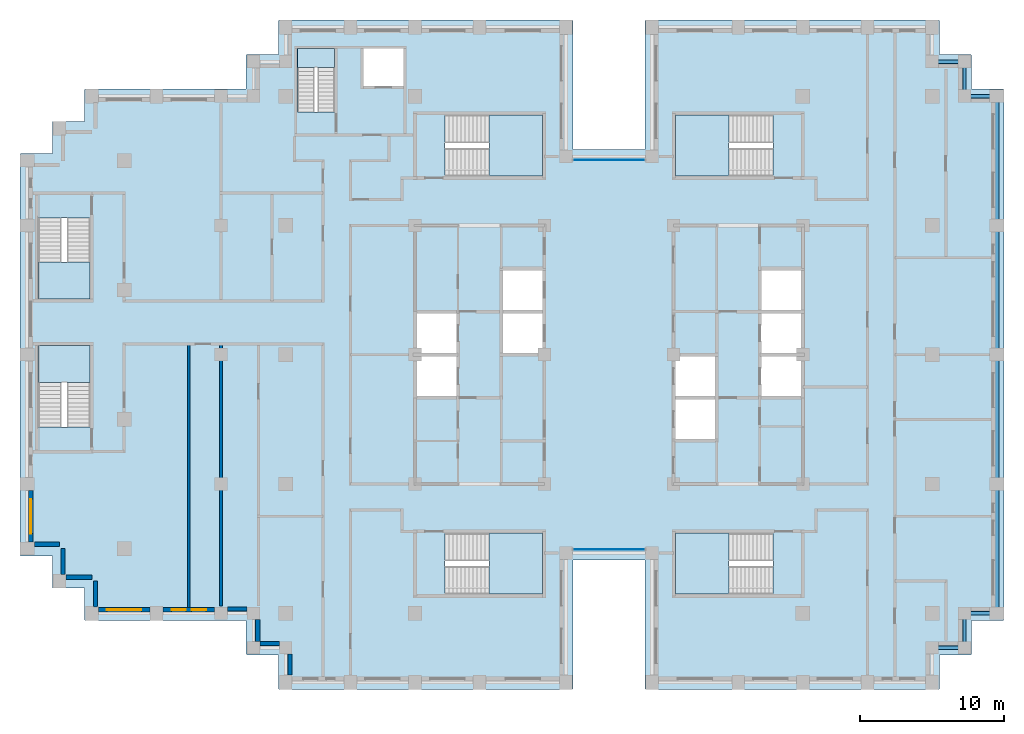
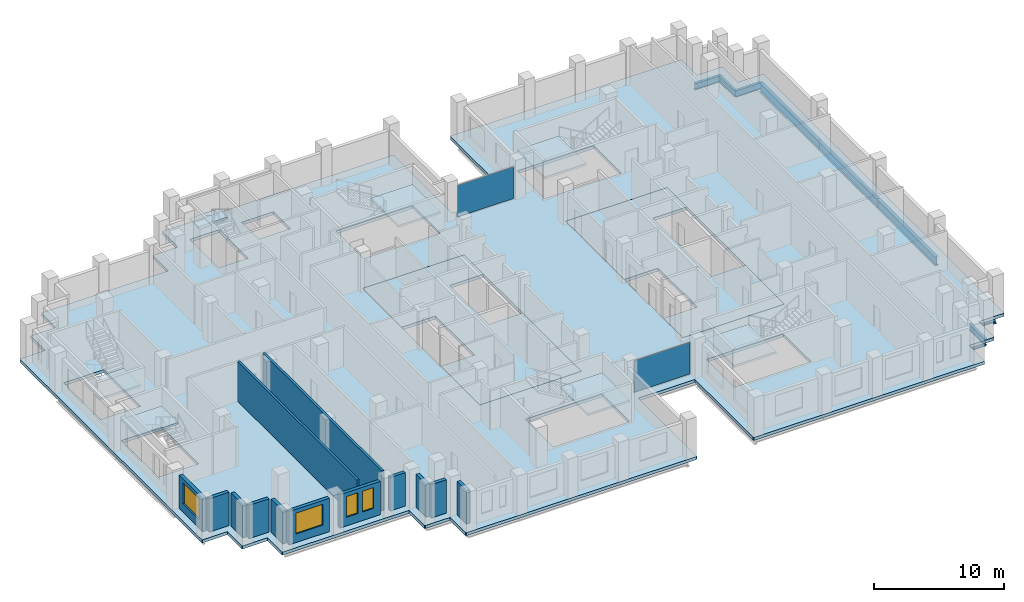
# One storey, part 5 of 15: 13 walls, 10 beams, 10 slabs, 4 windows, 2 plates, 4 openings, 9 elements without a shape of their own.
"""IFC4 building model written with IfcOpenShell, lengths in metres."""

from ifc_helpers import new_model, si_unit, direction, frame, frame_2d, origin, origin_2d, place, context, subcontext, project, spatial, polyline, rectangle, i_section, outline, extrude, material, layer, layer_set, material_profile, profile_set, type_object, element, fill, aggregate, save


model = new_model("IFC4")

# Units and contexts
model_context = context("Model", 3, precision=1e-05, world=origin(), true_north=direction((0.0, 1.0)))
body_context = subcontext(model_context, "Body", "Model", "MODEL_VIEW")
ifc_project = project(units=[si_unit("LENGTHUNIT", "METRE"), si_unit("AREAUNIT", "SQUARE_METRE"), si_unit("VOLUMEUNIT", "CUBIC_METRE"), si_unit("PLANEANGLEUNIT", "RADIAN"), si_unit("MASSUNIT", "GRAM", prefix="KILO")], contexts=[model_context])

# Site, building, storey
site_placement = place(None, origin())
site = spatial("IfcSite", under=ifc_project, at=site_placement, CompositionType="ELEMENT")
building_placement = place(site_placement, origin())
building = spatial("IfcBuilding", under=site, at=building_placement, Name="Corbelhall Arena Tower", CompositionType="ELEMENT")
storey_placement = place(building_placement, frame((0.0, 0.0, 200.0)))
storey = spatial("IfcBuildingStorey", under=building, at=storey_placement, Name="L41", CompositionType="ELEMENT", Elevation=200.0)

# Beams
ifc_material_1 = material(Name="Steel ASTM A992 Gr50", Category="steel")
ifc_material_profile_1 = material_profile(ifc_material_1, i_section(OverallWidth=0.228271484375, OverallDepth=0.607177734375, WebThickness=0.01123046875, FlangeThickness=0.017333984375, at=origin_2d()))
ifc_profile_set_1 = profile_set([ifc_material_profile_1], Name="Steel ASTM A992 Gr50")
beam_type_1 = type_object("IfcBeamType", Name="ST-SPANDREL-W24x76", PredefinedType="SPANDREL", material=ifc_profile_set_1)
for number, where, z_axis, x_axis, name in (
    (1, (27.0, -18.0, -0.58349609375), (-1.0, 0.0, 0.0), (0.0, -1.0, 0.0), "Beam SP 12"),
    (2, (22.5, 20.39990234375, -0.58349609375), (1.0, 0.0, 0.0), (0.0, 1.0, 0.0), "Beam SP 39"),
):
    element("IfcBeam", number, at=place(storey_placement, frame(where, z_axis=z_axis, x_axis=x_axis)), inside=storey, type_object=beam_type_1, Name=name, PredefinedType="SPANDREL", context=body_context, shape_type="SweptSolid", body=[
        extrude(i_section(OverallWidth=0.228271484375, OverallDepth=0.607177734375, WebThickness=0.01123046875, FlangeThickness=0.017333984375, at=origin_2d()), origin(), (0.0, 0.0, 1.0), 2.25),
    ])
beam_1_placement = place(storey_placement, frame((24.75, 20.39990234375, -0.58349609375), z_axis=(0.0, -1.0, 0.0), x_axis=(1.0, 0.0, 0.0)))
element("IfcBeam", 3, at=beam_1_placement, inside=storey, type_object=beam_type_1, Name="Beam SP 40", PredefinedType="SPANDREL", context=body_context, shape_type="SweptSolid", body=[
    extrude(i_section(OverallWidth=0.228271484375, OverallDepth=0.607177734375, WebThickness=0.01123046875, FlangeThickness=0.017333984375, at=origin_2d()), origin(), (0.0, 0.0, 1.0), 2.39990234375),
])
for number, where, z_axis, x_axis, name in (
    (4, (24.75, 18.0, -0.58349609375), (1.0, 0.0, 0.0), (0.0, 1.0, 0.0), "Beam SP 41"),
    (5, (24.75, -20.39990234375, -0.58349609375), (-1.0, 0.0, 0.0), (0.0, -1.0, 0.0), "Beam SP 46"),
):
    element("IfcBeam", number, at=place(storey_placement, frame(where, z_axis=z_axis, x_axis=x_axis)), inside=storey, type_object=beam_type_1, Name=name, PredefinedType="SPANDREL", context=body_context, shape_type="SweptSolid", body=[
        extrude(i_section(OverallWidth=0.228271484375, OverallDepth=0.607177734375, WebThickness=0.01123046875, FlangeThickness=0.017333984375, at=origin_2d()), origin(), (0.0, 0.0, 1.0), 2.25),
    ])
beam_2_placement = place(storey_placement, frame((24.75, -18.0, -0.58349609375), z_axis=(0.0, -1.0, 0.0), x_axis=(1.0, 0.0, 0.0)))
element("IfcBeam", 6, at=beam_2_placement, inside=storey, type_object=beam_type_1, Name="Beam SP 47", PredefinedType="SPANDREL", context=body_context, shape_type="SweptSolid", body=[
    extrude(i_section(OverallWidth=0.228271484375, OverallDepth=0.607177734375, WebThickness=0.01123046875, FlangeThickness=0.017333984375, at=origin_2d()), origin(), (0.0, 0.0, 1.0), 2.39990234375),
])
ifc_material_profile_2 = material_profile(ifc_material_1, i_section(OverallWidth=0.2919921875, OverallDepth=0.845703125, WebThickness=0.015380859375, FlangeThickness=0.0244140625, at=origin_2d()))
ifc_profile_set_2 = profile_set([ifc_material_profile_2], Name="Steel ASTM A992 Gr50")
beam_type_2 = type_object("IfcBeamType", Name="ST-SPANDREL-W33x141", PredefinedType="SPANDREL", material=ifc_profile_set_2)
for number, where, z_axis, x_axis, name in (
    (7, (27.0, 0.0, -0.702880859375), (0.0, -1.0, 0.0), (1.0, 0.0, 0.0), "Beam SP 8"),
    (8, (27.0, 9.0, -0.702880859375), (0.0, -1.0, 0.0), (1.0, 0.0, 0.0), "Beam SP 9"),
    (9, (27.0, 18.0, -0.702880859375), (0.0, -1.0, 0.0), (1.0, 0.0, 0.0), "Beam SP 10"),
    (10, (27.0, -9.0, -0.702880859375), (0.0, -1.0, 0.0), (1.0, 0.0, 0.0), "Beam SP 11"),
):
    element("IfcBeam", number, at=place(storey_placement, frame(where, z_axis=z_axis, x_axis=x_axis)), inside=storey, type_object=beam_type_2, Name=name, PredefinedType="SPANDREL", context=body_context, shape_type="SweptSolid", body=[
        extrude(i_section(OverallWidth=0.2919921875, OverallDepth=0.845703125, WebThickness=0.015380859375, FlangeThickness=0.0244140625, at=origin_2d()), origin(), (0.0, 0.0, 1.0), 9.0),
    ])

# Curtain wall, plate
ifc_material_2 = material(Name="Aluminium black anodised", Category="aluminium")
ifc_layer_1 = layer(ifc_material_2, 0.199951171875)
ifc_layer_set_1 = layer_set([ifc_layer_1], Name="EV-CW1 Slot back wall")
curtain_wall_type = type_object("IfcCurtainWallType", Name="EV-CW1 Slot back wall", PredefinedType="NOTDEFINED", material=ifc_layer_set_1)
curtain_wall_1_placement = place(storey_placement, origin())
curtain_wall_1 = element("IfcCurtainWall", 11, at=curtain_wall_1_placement, inside=storey, type_object=curtain_wall_type, Name="Curtain wall CW1", PredefinedType="NOTDEFINED")
ifc_material_3 = material(Name="Glass dark tinted laminated", Category="glass")
ifc_layer_2 = layer(ifc_material_3, 0.028076171875)
ifc_layer_set_2 = layer_set([ifc_layer_2], Name="EV-CW1-PANEL")
plate_type = type_object("IfcPlateType", Name="EV-CW1-PANEL", PredefinedType="CURTAIN_PANEL", material=ifc_layer_set_2)
plate_1_placement = place(storey_placement, frame((0.0, -13.550048828125, 0.0751953125), z_axis=(0.0, 0.0, 1.0), x_axis=(1.0, 0.0, 0.0)))
plate_1 = element("IfcPlate", 12, at=plate_1_placement, type_object=plate_type, Name="CW1 panel 1.1", PredefinedType="CURTAIN_PANEL", context=body_context, shape_type="SweptSolid", body=[
    extrude(rectangle(XDim=4.949951171875, YDim=0.028076171875, at=origin_2d()), origin(), (0.0, 0.0, 1.0), 2.969970703125),
])
aggregate(curtain_wall_1, [plate_1])

curtain_wall_2_placement = place(storey_placement, origin())
curtain_wall_2 = element("IfcCurtainWall", 13, at=curtain_wall_2_placement, inside=storey, type_object=curtain_wall_type, Name="Curtain wall CW1", PredefinedType="NOTDEFINED")
plate_2_placement = place(storey_placement, frame((0.0, 13.550048828125, 0.0751953125), z_axis=(0.0, 0.0, 1.0), x_axis=(-1.0, 0.0, 0.0)))
plate_2 = element("IfcPlate", 14, at=plate_2_placement, type_object=plate_type, Name="CW1 panel 1.1", PredefinedType="CURTAIN_PANEL", context=body_context, shape_type="SweptSolid", body=[
    extrude(rectangle(XDim=4.949951171875, YDim=0.028076171875, at=origin_2d()), origin(), (0.0, 0.0, 1.0), 2.969970703125),
])
aggregate(curtain_wall_2, [plate_2])

# Slabs
ifc_material_4 = material(Name="Concrete C40/50", Category="concrete")
ifc_layer_3 = layer(ifc_material_4, 0.300048828125)
ifc_layer_set_3 = layer_set([ifc_layer_3], Name="IN-SL-CORE")
slab_type_1 = type_object("IfcSlabType", Name="IN-SL-CORE", PredefinedType="FLOOR", material=ifc_layer_set_3)
slab_1_placement = place(storey_placement, frame((0.0, 0.0, -0.280029296875)))
element("IfcSlab", 15, at=slab_1_placement, inside=storey, type_object=slab_type_1, Name="Core floor W", PredefinedType="FLOOR", context=body_context, shape_type="SweptSolid", body=[
    extrude(outline(polyline([(-10.5, -3.0), (-13.5, -3.0), (-13.5, -9.0), (-4.5, -9.0), (-4.5, 0.0), (-7.5, 0.0), (-7.5, 3.0), (-7.5, 6.0), (-4.5, 6.0), (-4.5, 9.0), (-13.5, 9.0), (-13.5, 3.0), (-10.5, 3.0), (-10.5, 0.0), (-10.5, -3.0)])), origin(), (0.0, 0.0, 1.0), 0.280029296875),
])
slab_2_placement = place(storey_placement, frame((0.0, 0.0, -0.280029296875)))
element("IfcSlab", 16, at=slab_2_placement, inside=storey, type_object=slab_type_1, Name="Core floor E", PredefinedType="FLOOR", context=body_context, shape_type="SweptSolid", body=[
    extrude(outline(polyline([(13.5, -3.0), (10.5, -3.0), (10.5, 0.0), (10.5, 3.0), (10.5, 6.0), (13.5, 6.0), (13.5, 9.0), (4.5, 9.0), (4.5, 0.0), (7.5, 0.0), (7.5, -3.0), (7.5, -6.0), (4.5, -6.0), (4.5, -9.0), (13.5, -9.0), (13.5, -3.0)])), origin(), (0.0, 0.0, 1.0), 0.280029296875),
])

# Stair, slab
stair_type = type_object("IfcStairType", Name="IN-ST-TOWER", PredefinedType="HALF_TURN_STAIR", material=ifc_material_4)
stair_1_placement = place(storey_placement, origin())
stair_1 = element("IfcStair", 17, at=stair_1_placement, inside=storey, type_object=stair_type, Name="L41 Exit stair ST1", PredefinedType="HALF_TURN_STAIR")
ifc_layer_4 = layer(ifc_material_4, 0.199951171875)
ifc_layer_set_4 = layer_set([ifc_layer_4], Name="IN-SL-LANDING")
slab_type_2 = type_object("IfcSlabType", Name="IN-SL-LANDING", PredefinedType="LANDING", material=ifc_layer_set_4)
slab_3_placement = place(storey_placement, frame((0.0, 0.0, 1.800048828125)))
slab_3 = element("IfcSlab", 18, at=slab_3_placement, type_object=slab_type_2, Name="ST1 landing 1", PredefinedType="LANDING", context=body_context, shape_type="SweptSolid", body=[
    extrude(outline(polyline([(-8.344970703125, 12.425048828125), (-4.625, 12.425048828125), (-4.625, 16.675048828125), (-8.344970703125, 16.675048828125), (-8.344970703125, 12.425048828125)])), origin(), (0.0, 0.0, 1.0), 0.199951171875),
])
aggregate(stair_1, [slab_3])

stair_2_placement = place(storey_placement, origin())
stair_2 = element("IfcStair", 19, at=stair_2_placement, inside=storey, type_object=stair_type, Name="L41 Exit stair ST2", PredefinedType="HALF_TURN_STAIR")
slab_4_placement = place(storey_placement, frame((0.0, 0.0, 1.800048828125)))
slab_4 = element("IfcSlab", 20, at=slab_4_placement, type_object=slab_type_2, Name="ST2 landing 1", PredefinedType="LANDING", context=body_context, shape_type="SweptSolid", body=[
    extrude(outline(polyline([(-8.344970703125, -16.675048828125), (-4.625, -16.675048828125), (-4.625, -12.425048828125), (-8.344970703125, -12.425048828125), (-8.344970703125, -16.675048828125)])), origin(), (0.0, 0.0, 1.0), 0.199951171875),
])
aggregate(stair_2, [slab_4])

stair_3_placement = place(storey_placement, origin())
stair_3 = element("IfcStair", 21, at=stair_3_placement, inside=storey, type_object=stair_type, Name="L41 Exit stair ST3", PredefinedType="HALF_TURN_STAIR")
slab_5_placement = place(storey_placement, frame((0.0, 0.0, 1.800048828125)))
slab_5 = element("IfcSlab", 22, at=slab_5_placement, type_object=slab_type_2, Name="ST3 landing 1", PredefinedType="LANDING", context=body_context, shape_type="SweptSolid", body=[
    extrude(outline(polyline([(8.344970703125, 16.675048828125), (4.625, 16.675048828125), (4.625, 12.425048828125), (8.344970703125, 12.425048828125), (8.344970703125, 16.675048828125)])), origin(), (0.0, 0.0, 1.0), 0.199951171875),
])
aggregate(stair_3, [slab_5])

stair_4_placement = place(storey_placement, origin())
stair_4 = element("IfcStair", 23, at=stair_4_placement, inside=storey, type_object=stair_type, Name="L41 Exit stair ST4", PredefinedType="HALF_TURN_STAIR")
slab_6_placement = place(storey_placement, frame((0.0, 0.0, 1.800048828125)))
slab_6 = element("IfcSlab", 24, at=slab_6_placement, type_object=slab_type_2, Name="ST4 landing 1", PredefinedType="LANDING", context=body_context, shape_type="SweptSolid", body=[
    extrude(outline(polyline([(8.344970703125, -12.425048828125), (4.625, -12.425048828125), (4.625, -16.675048828125), (8.344970703125, -16.675048828125), (8.344970703125, -12.425048828125)])), origin(), (0.0, 0.0, 1.0), 0.199951171875),
])
aggregate(stair_4, [slab_6])

stair_5_placement = place(storey_placement, origin())
stair_5 = element("IfcStair", 25, at=stair_5_placement, inside=storey, type_object=stair_type, Name="L41 Exit stair SC1", PredefinedType="HALF_TURN_STAIR")
slab_7_placement = place(storey_placement, frame((0.0, 0.0, 1.800048828125)))
slab_7 = element("IfcSlab", 26, at=slab_7_placement, type_object=slab_type_2, Name="SC1 landing 1", PredefinedType="LANDING", context=body_context, shape_type="SweptSolid", body=[
    extrude(outline(polyline([(-39.699951171875, 6.445068359375), (-39.699951171875, 3.875), (-36.125, 3.875), (-36.125, 6.445068359375), (-39.699951171875, 6.445068359375)])), origin(), (0.0, 0.0, 1.0), 0.199951171875),
])
aggregate(stair_5, [slab_7])

stair_6_placement = place(storey_placement, origin())
stair_6 = element("IfcStair", 27, at=stair_6_placement, inside=storey, type_object=stair_type, Name="L41 Exit stair SC2", PredefinedType="HALF_TURN_STAIR")
slab_8_placement = place(storey_placement, frame((0.0, 0.0, 1.800048828125)))
slab_8 = element("IfcSlab", 28, at=slab_8_placement, type_object=slab_type_2, Name="SC2 landing 1", PredefinedType="LANDING", context=body_context, shape_type="SweptSolid", body=[
    extrude(outline(polyline([(-36.125, -1.945068359375), (-36.125, 0.625), (-39.699951171875, 0.625), (-39.699951171875, -1.945068359375), (-36.125, -1.945068359375)])), origin(), (0.0, 0.0, 1.0), 0.199951171875),
])
aggregate(stair_6, [slab_8])

stair_7_placement = place(storey_placement, origin())
stair_7 = element("IfcStair", 29, at=stair_7_placement, inside=storey, type_object=stair_type, Name="L41 Exit stair ST5", PredefinedType="HALF_TURN_STAIR")
slab_9_placement = place(storey_placement, frame((0.0, 0.0, 1.800048828125)))
slab_9 = element("IfcSlab", 30, at=slab_9_placement, type_object=slab_type_2, Name="ST5 landing 1", PredefinedType="LANDING", context=body_context, shape_type="SweptSolid", body=[
    extrude(outline(polyline([(-19.094970703125, 19.97998046875), (-19.094970703125, 21.300048828125), (-21.695068359375, 21.300048828125), (-21.695068359375, 19.97998046875), (-19.094970703125, 19.97998046875)])), origin(), (0.0, 0.0, 1.0), 0.199951171875),
])
aggregate(stair_7, [slab_9])

# Slab
ifc_layer_5 = layer(ifc_material_4, 0.280029296875)
ifc_layer_set_5 = layer_set([ifc_layer_5], Name="ST-SLAB-FLOOR-280")
slab_type_3 = type_object("IfcSlabType", Name="ST-SLAB-FLOOR-280", PredefinedType="FLOOR", material=ifc_layer_set_5)
slab_10_placement = place(storey_placement, frame((0.0, 0.0, -0.280029296875)))
element("IfcSlab", 31, at=slab_10_placement, inside=storey, type_object=slab_type_3, Name="Floor slab L41 1", PredefinedType="FLOOR", context=body_context, shape_type="SweptSolid", body=[
    extrude(outline(polyline([(23.0, 23.25), (22.949951171875, 23.300048828125), (2.550048828125, 23.300048828125), (2.5, 23.25), (2.5, 14.300048828125), (-2.5, 14.300048828125), (-2.5, 23.25), (-2.550048828125, 23.300048828125), (-22.949951171875, 23.300048828125), (-23.0, 23.25), (-23.0, 20.89990234375), (-25.199951171875, 20.89990234375), (-25.25, 20.85009765625), (-25.25, 18.5), (-36.449951171875, 18.5), (-36.5, 18.449951171875), (-36.5, 16.25), (-38.699951171875, 16.25), (-38.75, 16.199951171875), (-38.75, 14.0), (-40.949951171875, 14.0), (-41.0, 13.949951171875), (-41.0, -13.949951171875), (-40.949951171875, -14.0), (-38.75, -14.0), (-38.75, -16.199951171875), (-38.699951171875, -16.25), (-36.5, -16.25), (-36.5, -18.449951171875), (-36.449951171875, -18.5), (-25.25, -18.5), (-25.25, -20.85009765625), (-25.199951171875, -20.89990234375), (-23.0, -20.89990234375), (-23.0, -23.25), (-22.949951171875, -23.300048828125), (-2.550048828125, -23.300048828125), (-2.5, -23.25), (-2.5, -14.300048828125), (2.5, -14.300048828125), (2.5, -23.25), (2.550048828125, -23.300048828125), (22.949951171875, -23.300048828125), (23.0, -23.25), (23.0, -20.89990234375), (25.199951171875, -20.89990234375), (25.25, -20.85009765625), (25.25, -18.5), (27.449951171875, -18.5), (27.5, -18.449951171875), (27.5, 18.449951171875), (27.449951171875, 18.5), (25.25, 18.5), (25.25, 20.85009765625), (25.199951171875, 20.89990234375), (23.0, 20.89990234375), (23.0, 23.25)]), holes=[polyline([(-4.5, -9.0), (-4.5, 9.0), (-13.5, 9.0), (-13.5, -9.0), (-4.5, -9.0)]), polyline([(13.5, -9.0), (13.5, 9.0), (4.5, 9.0), (4.5, -9.0), (13.5, -9.0)]), polyline([(-11.422119140625, 12.425048828125), (-4.625, 12.425048828125), (-4.625, 16.675048828125), (-11.422119140625, 16.675048828125), (-11.422119140625, 12.425048828125)]), polyline([(-11.422119140625, -12.425048828125), (-11.422119140625, -16.675048828125), (-4.625, -16.675048828125), (-4.625, -12.425048828125), (-11.422119140625, -12.425048828125)]), polyline([(4.625, 12.425048828125), (11.422119140625, 12.425048828125), (11.422119140625, 16.675048828125), (4.625, 16.675048828125), (4.625, 12.425048828125)]), polyline([(4.625, -12.425048828125), (4.625, -16.675048828125), (11.422119140625, -16.675048828125), (11.422119140625, -12.425048828125), (4.625, -12.425048828125)]), polyline([(-39.699951171875, 9.52197265625), (-39.699951171875, 3.875), (-36.125, 3.875), (-36.125, 9.52197265625), (-39.699951171875, 9.52197265625)]), polyline([(-39.699951171875, -5.02197265625), (-36.125, -5.02197265625), (-36.125, 0.625), (-39.699951171875, 0.625), (-39.699951171875, -5.02197265625)]), polyline([(-21.695068359375, 21.300048828125), (-21.695068359375, 16.903076171875), (-19.094970703125, 16.903076171875), (-19.094970703125, 21.300048828125), (-21.695068359375, 21.300048828125)]), polyline([(-14.300048828125, 21.300048828125), (-17.10009765625, 21.300048828125), (-17.10009765625, 18.699951171875), (-14.300048828125, 18.699951171875), (-14.300048828125, 21.300048828125)])]), origin(), (0.0, 0.0, 1.0), 0.280029296875),
])

# Walls
ifc_material_5 = material(Name="Precast concrete C40/50 with granite facing", Category="masonry")
ifc_layer_6 = layer(ifc_material_5, 0.300048828125)
ifc_layer_set_6 = layer_set([ifc_layer_6], Name="EV-IW1 Infill panel 300")
wall_type_1 = type_object("IfcWallType", Name="EV-IW1 Infill panel 300", PredefinedType="SOLIDWALL", material=ifc_layer_set_6)
wall_1_placement = place(storey_placement, frame((-40.0, -13.199951171875, 0.0), z_axis=(0.0, 0.0, 1.0), x_axis=(1.0, 0.0, 0.0)))
element("IfcWall", 32, at=wall_1_placement, inside=storey, type_object=wall_type_1, Name="Infill panel IW1", PredefinedType="SOLIDWALL", context=body_context, shape_type="SweptSolid", body=[
    extrude(rectangle(XDim=1.75, YDim=0.300048828125, at=frame_2d((0.875, 0.0))), origin(), (0.0, 0.0, 1.0), 3.1201171875),
])
for number, where, z_axis, x_axis, name in (
    (33, (-38.0, -15.300048828125, 0.0), (0.0, 0.0, 1.0), (0.0, 1.0, 0.0), "Infill panel IW1"),
    (34, (-37.800048828125, -15.5, 0.0), (0.0, 0.0, 1.0), (1.0, 0.0, 0.0), "Infill panel IW1"),
    (35, (-35.75, -17.550048828125, 0.0), (0.0, 0.0, 1.0), (0.0, 1.0, 0.0), "Infill panel IW1"),
):
    element("IfcWall", number, at=place(storey_placement, frame(where, z_axis=z_axis, x_axis=x_axis)), inside=storey, type_object=wall_type_1, Name=name, PredefinedType="SOLIDWALL", context=body_context, shape_type="SweptSolid", body=[
        extrude(rectangle(XDim=1.800048828125, YDim=0.300048828125, at=frame_2d((0.89990234375, 0.0))), origin(), (0.0, 0.0, 1.0), 3.1201171875),
    ])

# Wall, opening, window
wall_2_placement = place(storey_placement, frame((-40.25, -9.449951171875, 0.0), z_axis=(0.0, 0.0, 1.0), x_axis=(0.0, -1.0, 0.0)))
wall_2 = element("IfcWall", 36, at=wall_2_placement, inside=storey, type_object=wall_type_1, Name="Infill panel IW1", PredefinedType="SOLIDWALL", context=body_context, shape_type="SweptSolid", body=[
    extrude(rectangle(XDim=3.60009765625, YDim=0.300048828125, at=frame_2d((1.800048828125, 0.0))), origin(), (0.0, 0.0, 1.0), 3.1201171875),
])
opening_1_placement = place(wall_2_placement, frame((0.60009765625, 0.0, 0.800048828125)))
opening_1 = element("IfcOpeningElement", 37, at=opening_1_placement, cuts=wall_2, Name="Opening WN1", PredefinedType="OPENING", context=body_context, shape_type="SweptSolid", body=[
    extrude(rectangle(XDim=2.39990234375, YDim=1.949951171875, at=frame_2d((1.199951171875, 0.97509765625))), frame((0.0, 0.14990234375, 0.0), z_axis=(0.0, -1.0, 0.0), x_axis=(1.0, 0.0, 0.0)), (0.0, 0.0, 1.0), 0.300048828125),
])
window_type_1 = type_object("IfcWindowType", Name="EV-WN1 Office window", PartitioningType="SINGLE_PANEL", PredefinedType="WINDOW", material=ifc_material_2)
window_1_placement = place(opening_1_placement, origin())
window_1 = element("IfcWindow", 38, at=window_1_placement, inside=storey, type_object=window_type_1, Name="Window WN1", OverallHeight=1.949951171875, OverallWidth=2.39990234375, PartitioningType="SINGLE_PANEL", PredefinedType="WINDOW", context=body_context, shape_type="SweptSolid", body=[
    extrude(rectangle(XDim=2.39990234375, YDim=1.949951171875, at=frame_2d((1.199951171875, 0.97509765625))), frame((0.0, 0.030029296875, 0.0), z_axis=(0.0, -1.0, 0.0), x_axis=(1.0, 0.0, 0.0)), (0.0, 0.0, 1.0), 0.06005859375),
])
fill(opening_1, window_1)

wall_3_placement = place(storey_placement, frame((-35.550048828125, -17.75, 0.0), z_axis=(0.0, 0.0, 1.0), x_axis=(1.0, 0.0, 0.0)))
wall_3 = element("IfcWall", 39, at=wall_3_placement, inside=storey, type_object=wall_type_1, Name="Infill panel IW1", PredefinedType="SOLIDWALL", context=body_context, shape_type="SweptSolid", body=[
    extrude(rectangle(XDim=3.60009765625, YDim=0.300048828125, at=frame_2d((1.800048828125, 0.0))), origin(), (0.0, 0.0, 1.0), 3.1201171875),
])
opening_2_placement = place(wall_3_placement, frame((0.60009765625, 0.0, 0.800048828125)))
opening_2 = element("IfcOpeningElement", 40, at=opening_2_placement, cuts=wall_3, Name="Opening WN1", PredefinedType="OPENING", context=body_context, shape_type="SweptSolid", body=[
    extrude(rectangle(XDim=2.39990234375, YDim=1.949951171875, at=frame_2d((1.199951171875, 0.97509765625))), frame((0.0, 0.14990234375, 0.0), z_axis=(0.0, -1.0, 0.0), x_axis=(1.0, 0.0, 0.0)), (0.0, 0.0, 1.0), 0.300048828125),
])
window_2_placement = place(opening_2_placement, origin())
window_2 = element("IfcWindow", 41, at=window_2_placement, inside=storey, type_object=window_type_1, Name="Window WN1", OverallHeight=1.949951171875, OverallWidth=2.39990234375, PartitioningType="SINGLE_PANEL", PredefinedType="WINDOW", context=body_context, shape_type="SweptSolid", body=[
    extrude(rectangle(XDim=2.39990234375, YDim=1.949951171875, at=frame_2d((1.199951171875, 0.97509765625))), frame((0.0, 0.030029296875, 0.0), z_axis=(0.0, -1.0, 0.0), x_axis=(1.0, 0.0, 0.0)), (0.0, 0.0, 1.0), 0.06005859375),
])
fill(opening_2, window_2)

# Wall, openings, windows
wall_4_placement = place(storey_placement, frame((-31.050048828125, -17.75, 0.0), z_axis=(0.0, 0.0, 1.0), x_axis=(1.0, 0.0, 0.0)))
wall_4 = element("IfcWall", 42, at=wall_4_placement, inside=storey, type_object=wall_type_1, Name="Infill panel IW1", PredefinedType="SOLIDWALL", context=body_context, shape_type="SweptSolid", body=[
    extrude(rectangle(XDim=3.60009765625, YDim=0.300048828125, at=frame_2d((1.800048828125, 0.0))), origin(), (0.0, 0.0, 1.0), 3.1201171875),
])
opening_3_placement = place(wall_4_placement, frame((0.60009765625, 0.0, 0.800048828125)))
opening_3 = element("IfcOpeningElement", 43, at=opening_3_placement, cuts=wall_4, Name="Opening WN6", PredefinedType="OPENING", context=body_context, shape_type="SweptSolid", body=[
    extrude(rectangle(XDim=1.0, YDim=1.949951171875, at=frame_2d((0.5, 0.97509765625))), frame((0.0, 0.14990234375, 0.0), z_axis=(0.0, -1.0, 0.0), x_axis=(1.0, 0.0, 0.0)), (0.0, 0.0, 1.0), 0.300048828125),
])
opening_4_placement = place(wall_4_placement, frame((2.0, 0.0, 0.800048828125)))
opening_4 = element("IfcOpeningElement", 44, at=opening_4_placement, cuts=wall_4, Name="Opening WN6", PredefinedType="OPENING", context=body_context, shape_type="SweptSolid", body=[
    extrude(rectangle(XDim=1.0, YDim=1.949951171875, at=frame_2d((0.5, 0.97509765625))), frame((0.0, 0.14990234375, 0.0), z_axis=(0.0, -1.0, 0.0), x_axis=(1.0, 0.0, 0.0)), (0.0, 0.0, 1.0), 0.300048828125),
])
window_type_2 = type_object("IfcWindowType", Name="EV-WN6 Office window 1000", PartitioningType="SINGLE_PANEL", PredefinedType="WINDOW", material=ifc_material_2)
window_3_placement = place(opening_3_placement, origin())
window_3 = element("IfcWindow", 45, at=window_3_placement, inside=storey, type_object=window_type_2, Name="Window WN6", OverallHeight=1.949951171875, OverallWidth=1.0, PartitioningType="SINGLE_PANEL", PredefinedType="WINDOW", context=body_context, shape_type="SweptSolid", body=[
    extrude(rectangle(XDim=1.0, YDim=1.949951171875, at=frame_2d((0.5, 0.97509765625))), frame((0.0, 0.030029296875, 0.0), z_axis=(0.0, -1.0, 0.0), x_axis=(1.0, 0.0, 0.0)), (0.0, 0.0, 1.0), 0.06005859375),
])
fill(opening_3, window_3)
window_4_placement = place(opening_4_placement, origin())
window_4 = element("IfcWindow", 46, at=window_4_placement, inside=storey, type_object=window_type_2, Name="Window WN6", OverallHeight=1.949951171875, OverallWidth=1.0, PartitioningType="SINGLE_PANEL", PredefinedType="WINDOW", context=body_context, shape_type="SweptSolid", body=[
    extrude(rectangle(XDim=1.0, YDim=1.949951171875, at=frame_2d((0.5, 0.97509765625))), frame((0.0, 0.030029296875, 0.0), z_axis=(0.0, -1.0, 0.0), x_axis=(1.0, 0.0, 0.0)), (0.0, 0.0, 1.0), 0.06005859375),
])
fill(opening_4, window_4)

# Walls
wall_5_placement = place(storey_placement, frame((-26.550048828125, -17.699951171875, 0.0), z_axis=(0.0, 0.0, 1.0), x_axis=(1.0, 0.0, 0.0)))
element("IfcWall", 47, at=wall_5_placement, inside=storey, type_object=wall_type_1, Name="Infill panel IW1", PredefinedType="SOLIDWALL", context=body_context, shape_type="SweptSolid", body=[
    extrude(rectangle(XDim=1.35009765625, YDim=0.300048828125, at=frame_2d((0.675048828125, 0.0))), origin(), (0.0, 0.0, 1.0), 3.1201171875),
])
wall_6_placement = place(storey_placement, frame((-24.449951171875, -18.449951171875, 0.0), z_axis=(0.0, 0.0, 1.0), x_axis=(0.0, -1.0, 0.0)))
element("IfcWall", 48, at=wall_6_placement, inside=storey, type_object=wall_type_1, Name="Infill panel IW1", PredefinedType="SOLIDWALL", context=body_context, shape_type="SweptSolid", body=[
    extrude(rectangle(XDim=1.5, YDim=0.300048828125, at=frame_2d((0.75, 0.0))), origin(), (0.0, 0.0, 1.0), 3.1201171875),
])
wall_7_placement = place(storey_placement, frame((-24.300048828125, -20.10009765625, 0.0), z_axis=(0.0, 0.0, 1.0), x_axis=(1.0, 0.0, 0.0)))
element("IfcWall", 49, at=wall_7_placement, inside=storey, type_object=wall_type_1, Name="Infill panel IW1", PredefinedType="SOLIDWALL", context=body_context, shape_type="SweptSolid", body=[
    extrude(rectangle(XDim=1.35009765625, YDim=0.300048828125, at=frame_2d((0.675048828125, 0.0))), origin(), (0.0, 0.0, 1.0), 3.1201171875),
])
wall_8_placement = place(storey_placement, frame((-22.199951171875, -20.85009765625, 0.0), z_axis=(0.0, 0.0, 1.0), x_axis=(0.0, -1.0, 0.0)))
element("IfcWall", 50, at=wall_8_placement, inside=storey, type_object=wall_type_1, Name="Infill panel IW1", PredefinedType="SOLIDWALL", context=body_context, shape_type="SweptSolid", body=[
    extrude(rectangle(XDim=1.449951171875, YDim=0.300048828125, at=frame_2d((0.72509765625, 0.0))), origin(), (0.0, 0.0, 1.0), 3.1201171875),
])
ifc_material_6 = material(Name="Gypsum board on steel stud, acoustic", Category="steel")
ifc_layer_7 = layer(ifc_material_6, 0.199951171875)
ifc_layer_set_7 = layer_set([ifc_layer_7], Name="IN-W-DM200")
wall_type_2 = type_object("IfcWallType", Name="IN-W-DM200", PredefinedType="PARTITIONING", material=ifc_layer_set_7)
wall_9_placement = place(storey_placement, frame((-29.25, 0.75, 0.0), z_axis=(0.0, 0.0, 1.0), x_axis=(0.0, -1.0, 0.0)))
element("IfcWall", 51, at=wall_9_placement, inside=storey, type_object=wall_type_2, Name="Partition 006", PredefinedType="PARTITIONING", context=body_context, shape_type="SweptSolid", body=[
    extrude(rectangle(XDim=18.35009765625, YDim=0.199951171875, at=frame_2d((9.175048828125, 0.0))), origin(), (0.0, 0.0, 1.0), 3.719970703125),
])
wall_10_placement = place(storey_placement, frame((-27.0, -17.5, 0.0), z_axis=(0.0, 0.0, 1.0), x_axis=(0.0, 1.0, 0.0)))
element("IfcWall", 52, at=wall_10_placement, inside=storey, type_object=wall_type_2, Name="Partition 009", PredefinedType="PARTITIONING", context=body_context, shape_type="SweptSolid", body=[
    extrude(rectangle(XDim=18.25, YDim=0.199951171875, at=frame_2d((9.125, 0.0))), origin(), (0.0, 0.0, 1.0), 3.719970703125),
])

save(model, "model.ifc")
